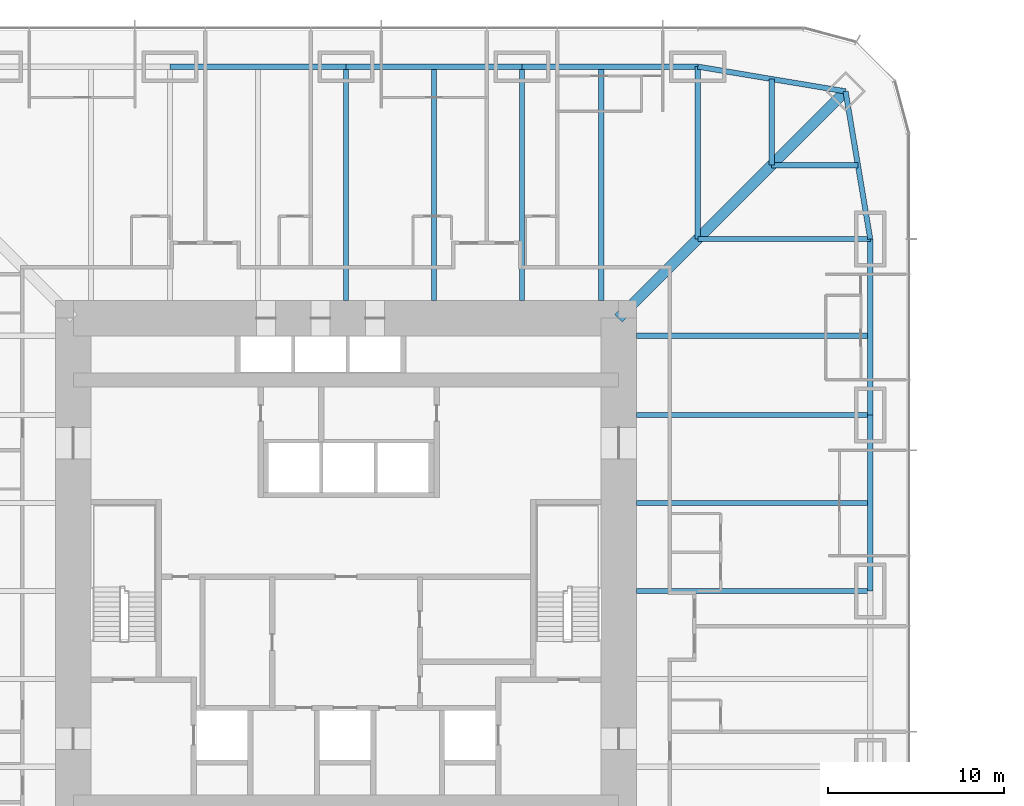
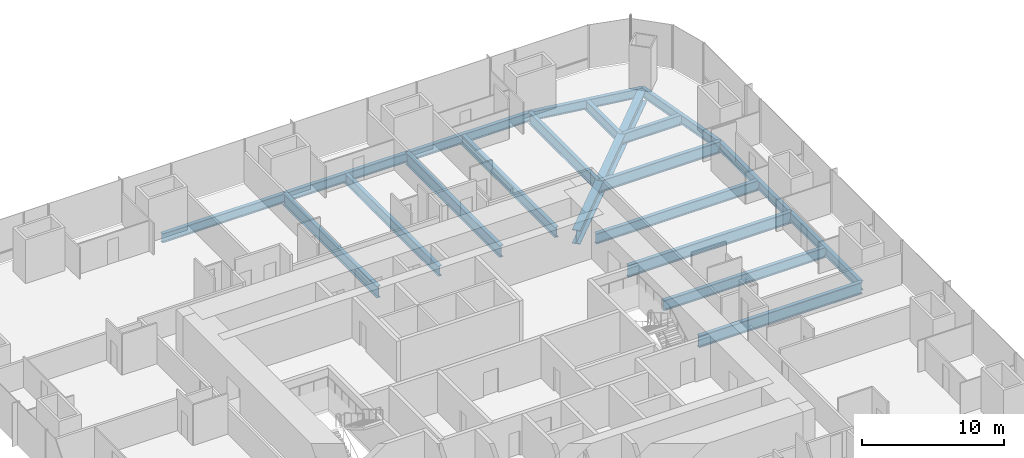
# One storey, part 7 of 20: 20 beams.
"""IFC4 building model written with IfcOpenShell, lengths in metres."""

from ifc_helpers import new_model, si_unit, direction, frame, origin, origin_2d, place, context, subcontext, project, spatial, i_section, extrude, material, material_profile, profile_set, type_object, element, save


model = new_model("IFC4")

# Units and contexts
model_context = context("Model", 3, precision=1e-05, world=origin(), true_north=direction((0.0, 1.0)))
body_context = subcontext(model_context, "Body", "Model", "MODEL_VIEW")
ifc_project = project(units=[si_unit("LENGTHUNIT", "METRE"), si_unit("AREAUNIT", "SQUARE_METRE"), si_unit("VOLUMEUNIT", "CUBIC_METRE"), si_unit("PLANEANGLEUNIT", "RADIAN"), si_unit("MASSUNIT", "GRAM", prefix="KILO")], contexts=[model_context])

# Site, building, storey
site_placement = place(None, origin())
site = spatial("IfcSite", under=ifc_project, at=site_placement, CompositionType="ELEMENT")
building_placement = place(site_placement, origin())
building = spatial("IfcBuilding", under=site, at=building_placement, Name="Khuree Lantern Residences", CompositionType="ELEMENT")
storey_placement = place(building_placement, frame((0.0, 0.0, 24.75)))
storey = spatial("IfcBuildingStorey", under=building, at=storey_placement, Name="L05", CompositionType="ELEMENT", Elevation=24.75)

# Beams
ifc_material = material(Name="Steel S355", Category="steel")
ifc_material_profile_1 = material_profile(ifc_material, i_section(OverallWidth=0.300048828125, OverallDepth=0.889892578125, WebThickness=0.01611328125, FlangeThickness=0.030029296875, FilletRadius=0.030029296875, at=origin_2d()), Name="HE 900 A")
ifc_profile_set_1 = profile_set([ifc_material_profile_1], Name="Steel S355")
beam_type_1 = type_object("IfcBeamType", Name="B-11 SECONDARY BEAM HE 900 A", PredefinedType="BEAM", material=ifc_profile_set_1)
for number, where, z_axis, x_axis, name in (
    (1, (5.0, 29.800048828125, -0.695068359375), (0.0, -1.0, 0.0), (1.0, 0.0, 0.0), "Secondary beam N3"),
    (2, (14.5, 29.800048828125, -0.695068359375), (0.0, -1.0, 0.0), (1.0, 0.0, 0.0), "Secondary beam N4"),
):
    element("IfcBeam", number, at=place(storey_placement, frame(where, z_axis=z_axis, x_axis=x_axis)), inside=storey, type_object=beam_type_1, Name=name, PredefinedType="BEAM", context=body_context, shape_type="SweptSolid", body=[
        extrude(i_section(OverallWidth=0.300048828125, OverallDepth=0.889892578125, WebThickness=0.01611328125, FlangeThickness=0.030029296875, FilletRadius=0.030029296875, at=origin_2d()), origin(), (0.0, 0.0, 1.0), 13.300048828125),
    ])
for number, where, z_axis, x_axis, name in (
    (3, (24.197021484375, 29.09716796875, -0.695068359375), (0.0, -1.0, 0.0), (1.0, 0.0, 0.0), "Secondary beam N5"),
    (4, (29.09716796875, 24.197021484375, -0.695068359375), (-1.0, 0.0, 0.0), (0.0, -1.0, 0.0), "Secondary beam E1"),
):
    element("IfcBeam", number, at=place(storey_placement, frame(where, z_axis=z_axis, x_axis=x_axis)), inside=storey, type_object=beam_type_1, Name=name, PredefinedType="BEAM", context=body_context, shape_type="SweptSolid", body=[
        extrude(i_section(OverallWidth=0.300048828125, OverallDepth=0.889892578125, WebThickness=0.01611328125, FlangeThickness=0.030029296875, FilletRadius=0.030029296875, at=origin_2d()), origin(), (0.0, 0.0, 1.0), 4.900146484375),
    ])
for number, where, z_axis, x_axis, name in (
    (5, (29.800048828125, 14.5, -0.695068359375), (-1.0, 0.0, 0.0), (0.0, -1.0, 0.0), "Secondary beam E2"),
    (6, (29.800048828125, 5.0, -0.695068359375), (-1.0, 0.0, 0.0), (0.0, -1.0, 0.0), "Secondary beam E3"),
):
    element("IfcBeam", number, at=place(storey_placement, frame(where, z_axis=z_axis, x_axis=x_axis)), inside=storey, type_object=beam_type_1, Name=name, PredefinedType="BEAM", context=body_context, shape_type="SweptSolid", body=[
        extrude(i_section(OverallWidth=0.300048828125, OverallDepth=0.889892578125, WebThickness=0.01611328125, FlangeThickness=0.030029296875, FilletRadius=0.030029296875, at=origin_2d()), origin(), (0.0, 0.0, 1.0), 13.300048828125),
    ])
ifc_material_profile_2 = material_profile(ifc_material, i_section(OverallWidth=0.300048828125, OverallDepth=0.7900390625, WebThickness=0.014892578125, FlangeThickness=0.028076171875, FilletRadius=0.030029296875, at=origin_2d()), Name="HE 800 A")
ifc_profile_set_2 = profile_set([ifc_material_profile_2], Name="Steel S355")
beam_type_2 = type_object("IfcBeamType", Name="E-11 SPANDREL BEAM HE 800 A", PredefinedType="SPANDREL", material=ifc_profile_set_2)
for number, where, z_axis, x_axis, name in (
    (7, (-10.0, 29.800048828125, -0.64501953125), (1.0, 0.0, 0.0), (0.0, 1.0, 0.0), "Spandrel beam N2"),
    (8, (0.0, 29.800048828125, -0.64501953125), (1.0, 0.0, 0.0), (0.0, 1.0, 0.0), "Spandrel beam N3"),
    (9, (10.0, 29.800048828125, -0.64501953125), (1.0, 0.0, 0.0), (0.0, 1.0, 0.0), "Spandrel beam N4"),
):
    element("IfcBeam", number, at=place(storey_placement, frame(where, z_axis=z_axis, x_axis=x_axis)), inside=storey, type_object=beam_type_2, Name=name, PredefinedType="SPANDREL", context=body_context, shape_type="SweptSolid", body=[
        extrude(i_section(OverallWidth=0.300048828125, OverallDepth=0.7900390625, WebThickness=0.014892578125, FlangeThickness=0.028076171875, FilletRadius=0.030029296875, at=origin_2d()), origin(), (0.0, 0.0, 1.0), 10.0),
    ])
for number, where, z_axis, x_axis, name in (
    (10, (20.0, 29.800048828125, -0.64501953125), (0.986260251158, -0.165199022349, 0.0), (0.165199022349, 0.986260251158, 0.0), "Spandrel beam N5"),
    (11, (28.39404296875, 28.39404296875, -0.64501953125), (0.165199022349, -0.986260251158, 0.0), (0.986260251158, 0.165199022349, 0.0), "Spandrel beam E1"),
):
    element("IfcBeam", number, at=place(storey_placement, frame(where, z_axis=z_axis, x_axis=x_axis)), inside=storey, type_object=beam_type_2, Name=name, PredefinedType="SPANDREL", context=body_context, shape_type="SweptSolid", body=[
        extrude(i_section(OverallWidth=0.300048828125, OverallDepth=0.7900390625, WebThickness=0.014892578125, FlangeThickness=0.028076171875, FilletRadius=0.030029296875, at=origin_2d()), origin(), (0.0, 0.0, 1.0), 8.510986328125),
    ])
for number, where, z_axis, x_axis, name in (
    (12, (29.800048828125, 20.0, -0.64501953125), (0.0, -1.0, 0.0), (1.0, 0.0, 0.0), "Spandrel beam E2"),
    (13, (29.800048828125, 10.0, -0.64501953125), (0.0, -1.0, 0.0), (1.0, 0.0, 0.0), "Spandrel beam E3"),
):
    element("IfcBeam", number, at=place(storey_placement, frame(where, z_axis=z_axis, x_axis=x_axis)), inside=storey, type_object=beam_type_2, Name=name, PredefinedType="SPANDREL", context=body_context, shape_type="SweptSolid", body=[
        extrude(i_section(OverallWidth=0.300048828125, OverallDepth=0.7900390625, WebThickness=0.014892578125, FlangeThickness=0.028076171875, FilletRadius=0.030029296875, at=origin_2d()), origin(), (0.0, 0.0, 1.0), 10.0),
    ])
ifc_material_profile_3 = material_profile(ifc_material, i_section(OverallWidth=0.302001953125, OverallDepth=1.008056640625, WebThickness=0.02099609375, FlangeThickness=0.0400390625, FilletRadius=0.030029296875, at=origin_2d()), Name="HE 1000 M")
ifc_profile_set_3 = profile_set([ifc_material_profile_3], Name="Steel S355")
beam_type_3 = type_object("IfcBeamType", Name="G-11 GIRDER HE 1000 M", PredefinedType="BEAM", material=ifc_profile_set_3)
for number, where, z_axis, x_axis, name in (
    (14, (0.0, 29.800048828125, -0.75390625), (0.0, -1.0, 0.0), (1.0, 0.0, 0.0), "Girder N3"),
    (15, (10.0, 29.800048828125, -0.75390625), (0.0, -1.0, 0.0), (1.0, 0.0, 0.0), "Girder N4"),
):
    element("IfcBeam", number, at=place(storey_placement, frame(where, z_axis=z_axis, x_axis=x_axis)), inside=storey, type_object=beam_type_3, Name=name, PredefinedType="BEAM", context=body_context, shape_type="SweptSolid", body=[
        extrude(i_section(OverallWidth=0.302001953125, OverallDepth=1.008056640625, WebThickness=0.02099609375, FlangeThickness=0.0400390625, FilletRadius=0.030029296875, at=origin_2d()), origin(), (0.0, 0.0, 1.0), 13.300048828125),
    ])
for number, where, z_axis, x_axis, name in (
    (16, (20.0, 29.800048828125, -0.75390625), (0.0, -1.0, 0.0), (1.0, 0.0, 0.0), "Girder N5"),
    (17, (29.800048828125, 20.0, -0.75390625), (-1.0, 0.0, 0.0), (0.0, -1.0, 0.0), "Girder E1"),
):
    element("IfcBeam", number, at=place(storey_placement, frame(where, z_axis=z_axis, x_axis=x_axis)), inside=storey, type_object=beam_type_3, Name=name, PredefinedType="BEAM", context=body_context, shape_type="SweptSolid", body=[
        extrude(i_section(OverallWidth=0.302001953125, OverallDepth=1.008056640625, WebThickness=0.02099609375, FlangeThickness=0.0400390625, FilletRadius=0.030029296875, at=origin_2d()), origin(), (0.0, 0.0, 1.0), 9.800048828125),
    ])
for number, where, z_axis, x_axis, name in (
    (18, (29.800048828125, 10.0, -0.75390625), (-1.0, 0.0, 0.0), (0.0, -1.0, 0.0), "Girder E2"),
    (19, (29.800048828125, 0.0, -0.75390625), (-1.0, 0.0, 0.0), (0.0, -1.0, 0.0), "Girder E3"),
):
    element("IfcBeam", number, at=place(storey_placement, frame(where, z_axis=z_axis, x_axis=x_axis)), inside=storey, type_object=beam_type_3, Name=name, PredefinedType="BEAM", context=body_context, shape_type="SweptSolid", body=[
        extrude(i_section(OverallWidth=0.302001953125, OverallDepth=1.008056640625, WebThickness=0.02099609375, FlangeThickness=0.0400390625, FilletRadius=0.030029296875, at=origin_2d()), origin(), (0.0, 0.0, 1.0), 13.300048828125),
    ])
ifc_material_profile_4 = material_profile(ifc_material, i_section(OverallWidth=0.60009765625, OverallDepth=1.199951171875, WebThickness=0.030029296875, FlangeThickness=0.06005859375, at=origin_2d()), Name="WELDED I 1200X600X30X60")
ifc_profile_set_4 = profile_set([ifc_material_profile_4], Name="Steel S355")
beam_type_4 = type_object("IfcBeamType", Name="GD-11 CORNER GIRDER WELDED I 1200X600X30X60", PredefinedType="BEAM", material=ifc_profile_set_4)
beam_placement = place(storey_placement, frame((28.39404296875, 28.39404296875, -0.85009765625), z_axis=(-0.707106781187, -0.707106781187, 0.0), x_axis=(0.707106781187, -0.707106781187, 0.0)))
element("IfcBeam", 20, at=beam_placement, inside=storey, type_object=beam_type_4, Name="Corner girder NE", PredefinedType="BEAM", context=body_context, shape_type="SweptSolid", body=[
    extrude(i_section(OverallWidth=0.60009765625, OverallDepth=1.199951171875, WebThickness=0.030029296875, FlangeThickness=0.06005859375, at=origin_2d()), origin(), (0.0, 0.0, 1.0), 18.23486328125),
])

save(model, "model.ifc")
